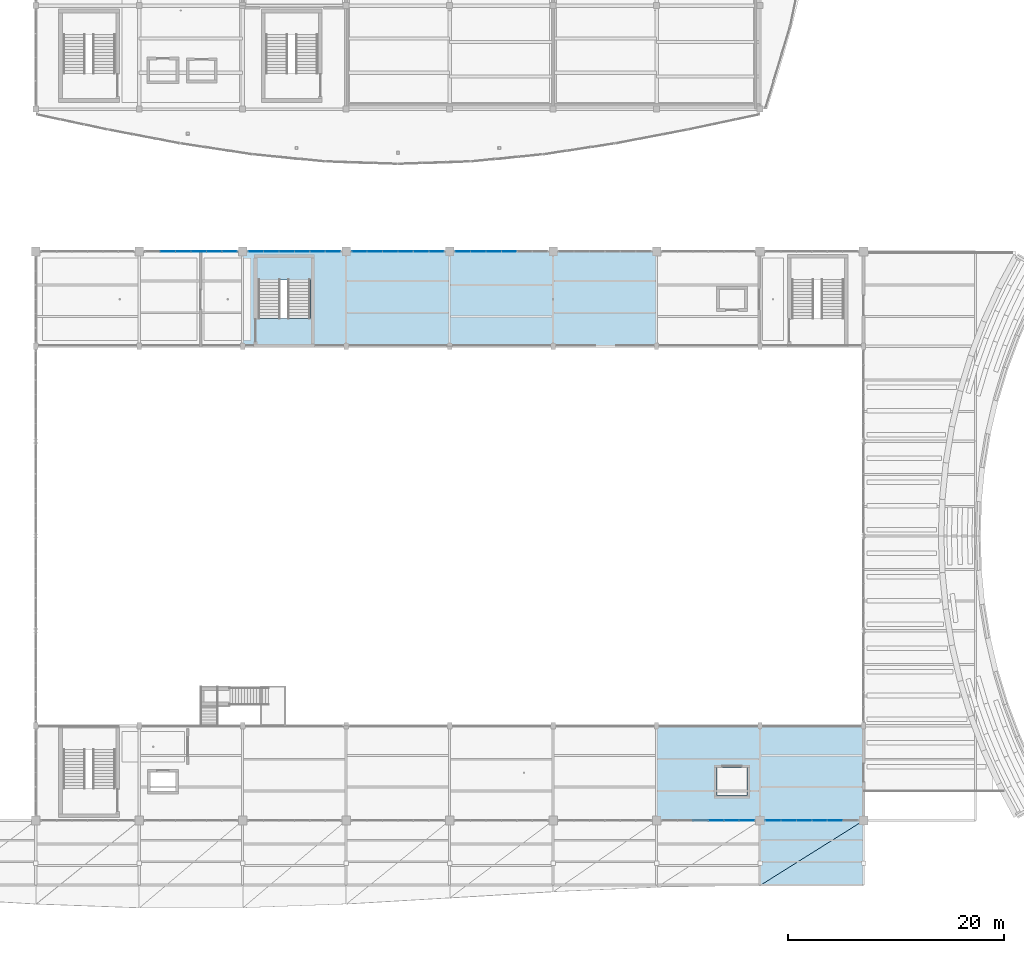
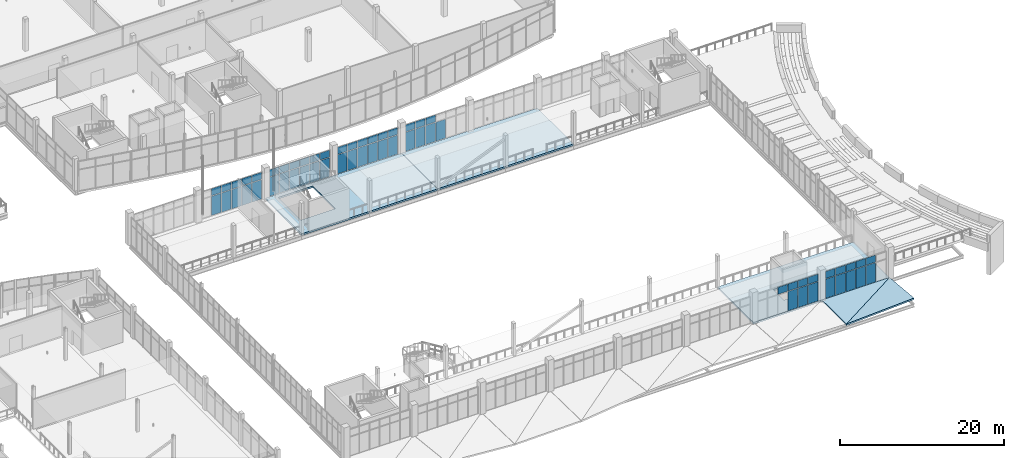
# One storey, part 120 of 157: 58 plates, 6 slabs, 7 elements without a shape of their own.
"""IFC4 building model written with IfcOpenShell, lengths in metres."""

from ifc_helpers import new_model, si_unit, direction, frame, origin, origin_2d, place, context, subcontext, project, spatial, polyline, rectangle, outline, extrude, material, layer, layer_set, type_object, element, aggregate, save


model = new_model("IFC4")

# Units and contexts
model_context = context("Model", 3, precision=1e-05, world=origin(), true_north=direction((0.0, 1.0)))
body_context = subcontext(model_context, "Body", "Model", "MODEL_VIEW")
ifc_project = project(units=[si_unit("LENGTHUNIT", "METRE"), si_unit("AREAUNIT", "SQUARE_METRE"), si_unit("VOLUMEUNIT", "CUBIC_METRE"), si_unit("PLANEANGLEUNIT", "RADIAN"), si_unit("MASSUNIT", "GRAM", prefix="KILO")], contexts=[model_context])

# Site, building, storey
site_placement = place(None, origin())
site = spatial("IfcSite", under=ifc_project, at=site_placement, CompositionType="ELEMENT")
building_placement = place(site_placement, origin())
building = spatial("IfcBuilding", under=site, at=building_placement, Name="Chalmorin Arch Market", CompositionType="ELEMENT")
storey_placement = place(building_placement, frame((0.0, 0.0, 4.800048828125)))
storey = spatial("IfcBuildingStorey", under=building, at=storey_placement, Name="L01", CompositionType="ELEMENT", Elevation=4.800048828125)

# Slabs
ifc_material_1 = material(Name="Concrete C40/50", Category="concrete")
ifc_layer_1 = layer(ifc_material_1, 0.219970703125)
ifc_layer_set_1 = layer_set([ifc_layer_1], Name="Concrete C40/50")
slab_type_1 = type_object("IfcSlabType", Name="ColonnadeCanopySlab-220", PredefinedType="ROOF", material=ifc_layer_set_1)
slab_1_placement = place(storey_placement, frame((115.219970703125, -0.01806640625, 0.083984375), z_axis=(-0.05362245172, 0.092751219023, 0.994244358315), x_axis=(0.998556461371, 0.001887051896, 0.053678976229)))
element("IfcSlab", 1, at=slab_1_placement, inside=storey, type_object=slab_type_1, Name="RS-220-083", PredefinedType="ROOF", context=body_context, shape_type="SweptSolid", body=[
    extrude(outline(polyline([(0.0, 0.0), (9.57387885770882, 1.3877787807814457e-17), (9.555217966218438, 6.005916036640677), (0.0, 0.0)])), origin(), (0.0, 0.0, -1.0), 0.219970703125),
])
slab_2_placement = place(storey_placement, frame((115.219970703125, -0.01806640625, 0.083984375), z_axis=(0.0, 0.007326407077, 0.99997316152), x_axis=(0.847074277111, 0.531460259463, -0.00389379871)))
element("IfcSlab", 2, at=slab_2_placement, inside=storey, type_object=slab_type_1, Name="RS-220-084", PredefinedType="ROOF", context=body_context, shape_type="SweptSolid", body=[
    extrude(outline(polyline([(0.0, 0.0), (11.285974385099465, -1.8642856355888249e-16), (3.1878946626610576, 5.0809275850936055), (0.0, 0.0)])), origin(), (0.0, 0.0, -1.0), 0.219970703125),
])
ifc_layer_2 = layer(ifc_material_1, 0.25)
ifc_layer_set_2 = layer_set([ifc_layer_2], Name="Concrete C40/50")
slab_type_2 = type_object("IfcSlabType", Name="MezzanineDeckSlab-250", PredefinedType="FLOOR", material=ifc_layer_set_2)
slab_3_placement = place(storey_placement, frame((0.0, 0.0, -0.25)))
element("IfcSlab", 3, at=slab_3_placement, inside=storey, type_object=slab_type_2, Name="FS-250-088", PredefinedType="FLOOR", context=body_context, shape_type="SweptSolid", body=[
    extrude(outline(polyline([(67.2099609375, 50.0), (86.389892578125, 50.0), (86.389892578125, 58.800048828125), (67.2099609375, 58.800048828125), (67.2099609375, 50.0)]), holes=[polyline([(68.60009765625, 52.60009765625), (73.5, 52.60009765625), (73.5, 58.14990234375), (68.60009765625, 58.14990234375), (68.60009765625, 52.60009765625)])]), origin(), (0.0, 0.0, 1.0), 0.25),
])
slab_4_placement = place(storey_placement, frame((0.0, 0.0, -0.25)))
element("IfcSlab", 4, at=slab_4_placement, inside=storey, type_object=slab_type_2, Name="FS-250-090", PredefinedType="FLOOR", context=body_context, shape_type="SweptSolid", body=[
    extrude(outline(polyline([(86.409912109375, 50.0), (105.590087890625, 50.0), (105.590087890625, 58.800048828125), (86.409912109375, 58.800048828125), (86.409912109375, 50.0)])), origin(), (0.0, 0.0, 1.0), 0.25),
])
slab_5_placement = place(storey_placement, frame((0.0, 0.0, -0.25)))
element("IfcSlab", 5, at=slab_5_placement, inside=storey, type_object=slab_type_2, Name="FS-250-091", PredefinedType="FLOOR", context=body_context, shape_type="SweptSolid", body=[
    extrude(outline(polyline([(105.610107421875, 6.010009765625), (124.7900390625, 6.010009765625), (124.7900390625, 14.800048828125), (105.610107421875, 14.800048828125), (105.610107421875, 6.010009765625)]), holes=[polyline([(111.199951171875, 8.300048828125), (114.0, 8.300048828125), (114.0, 10.89990234375), (111.199951171875, 10.89990234375), (111.199951171875, 8.300048828125)])]), origin(), (0.0, 0.0, 1.0), 0.25),
])

# Curtain wall, plates
ifc_material_2 = material(Name="Aluminium 6063-T6", Category="aluminium")
ifc_layer_3 = layer(ifc_material_2, 0.159912109375)
ifc_layer_set_3 = layer_set([ifc_layer_3], Name="Aluminium 6063-T6")
curtain_wall_type_1 = type_object("IfcCurtainWallType", Name="MarketClerestoryCurtainWall-CW1-8580x4150", PredefinedType="NOTDEFINED", material=ifc_layer_set_3)
curtain_wall_1_placement = place(storey_placement, origin())
curtain_wall_1 = element("IfcCurtainWall", 6, at=curtain_wall_1_placement, inside=storey, type_object=curtain_wall_type_1, Name="CW-01-006", PredefinedType="NOTDEFINED")
ifc_material_3 = material(Name="Powder-coated Aluminium Panel", Category="aluminium")
ifc_layer_4 = layer(ifc_material_3, 0.0400390625)
ifc_layer_set_4 = layer_set([ifc_layer_4], Name="Powder-coated Aluminium Panel")
plate_type_1 = type_object("IfcPlateType", Name="ShadowboxSpandrelPanel-40", PredefinedType="CURTAIN_PANEL", material=ifc_layer_set_4)
plate_1_placement = place(storey_placement, frame((60.2548828125, 58.800048828125, 3.03271484375), z_axis=(0.0, 0.0, 1.0), x_axis=(1.0, 0.0, 0.0)))
plate_1 = element("IfcPlate", 7, at=plate_1_placement, type_object=plate_type_1, Name="SP-40-006-02B", PredefinedType="CURTAIN_PANEL", context=body_context, shape_type="SweptSolid", body=[
    extrude(rectangle(XDim=1.35009765625, YDim=0.0400390625, at=origin_2d()), origin(), (0.0, 0.0, 1.0), 1.047119140625),
])
plate_2_placement = place(storey_placement, frame((61.68505859375, 58.800048828125, 3.03271484375), z_axis=(0.0, 0.0, 1.0), x_axis=(1.0, 0.0, 0.0)))
plate_2 = element("IfcPlate", 8, at=plate_2_placement, type_object=plate_type_1, Name="SP-40-006-03B", PredefinedType="CURTAIN_PANEL", context=body_context, shape_type="SweptSolid", body=[
    extrude(rectangle(XDim=1.35009765625, YDim=0.0400390625, at=origin_2d()), origin(), (0.0, 0.0, 1.0), 1.047119140625),
])
plate_3_placement = place(storey_placement, frame((63.114990234375, 58.800048828125, 3.03271484375), z_axis=(0.0, 0.0, 1.0), x_axis=(1.0, 0.0, 0.0)))
plate_3 = element("IfcPlate", 9, at=plate_3_placement, type_object=plate_type_1, Name="SP-40-006-04B", PredefinedType="CURTAIN_PANEL", context=body_context, shape_type="SweptSolid", body=[
    extrude(rectangle(XDim=1.35009765625, YDim=0.0400390625, at=origin_2d()), origin(), (0.0, 0.0, 1.0), 1.047119140625),
])
plate_4_placement = place(storey_placement, frame((64.544921875, 58.800048828125, 3.03271484375), z_axis=(0.0, 0.0, 1.0), x_axis=(1.0, 0.0, 0.0)))
plate_4 = element("IfcPlate", 10, at=plate_4_placement, type_object=plate_type_1, Name="SP-40-006-05B", PredefinedType="CURTAIN_PANEL", context=body_context, shape_type="SweptSolid", body=[
    extrude(rectangle(XDim=1.35009765625, YDim=0.0400390625, at=origin_2d()), origin(), (0.0, 0.0, 1.0), 1.047119140625),
])
plate_5_placement = place(storey_placement, frame((65.97509765625, 58.800048828125, 3.03271484375), z_axis=(0.0, 0.0, 1.0), x_axis=(1.0, 0.0, 0.0)))
plate_5 = element("IfcPlate", 11, at=plate_5_placement, type_object=plate_type_1, Name="SP-40-006-06B", PredefinedType="CURTAIN_PANEL", context=body_context, shape_type="SweptSolid", body=[
    extrude(rectangle(XDim=1.35009765625, YDim=0.0400390625, at=origin_2d()), origin(), (0.0, 0.0, 1.0), 1.047119140625),
])

ifc_layer_5 = layer(ifc_material_2, 0.159912109375)
ifc_layer_set_5 = layer_set([ifc_layer_5], Name="Aluminium 6063-T6")
curtain_wall_type_2 = type_object("IfcCurtainWallType", Name="MarketClerestoryCurtainWall-CW1-8580x4100", PredefinedType="NOTDEFINED", material=ifc_layer_set_5)
curtain_wall_2_placement = place(storey_placement, origin())
curtain_wall_2 = element("IfcCurtainWall", 12, at=curtain_wall_2_placement, inside=storey, type_object=curtain_wall_type_2, Name="CW-01-009", PredefinedType="NOTDEFINED")
plate_6_placement = place(storey_placement, frame((68.425048828125, 58.800048828125, 2.994140625), z_axis=(0.0, 0.0, 1.0), x_axis=(1.0, 0.0, 0.0)))
plate_6 = element("IfcPlate", 13, at=plate_6_placement, type_object=plate_type_1, Name="SP-40-009-01B", PredefinedType="CURTAIN_PANEL", context=body_context, shape_type="SweptSolid", body=[
    extrude(rectangle(XDim=1.35009765625, YDim=0.0400390625, at=origin_2d()), origin(), (0.0, 0.0, 1.0), 1.031982421875),
])
plate_7_placement = place(storey_placement, frame((69.85498046875, 58.800048828125, 2.994140625), z_axis=(0.0, 0.0, 1.0), x_axis=(1.0, 0.0, 0.0)))
plate_7 = element("IfcPlate", 14, at=plate_7_placement, type_object=plate_type_1, Name="SP-40-009-02B", PredefinedType="CURTAIN_PANEL", context=body_context, shape_type="SweptSolid", body=[
    extrude(rectangle(XDim=1.35009765625, YDim=0.0400390625, at=origin_2d()), origin(), (0.0, 0.0, 1.0), 1.031982421875),
])
plate_8_placement = place(storey_placement, frame((71.284912109375, 58.800048828125, 2.994140625), z_axis=(0.0, 0.0, 1.0), x_axis=(1.0, 0.0, 0.0)))
plate_8 = element("IfcPlate", 15, at=plate_8_placement, type_object=plate_type_1, Name="SP-40-009-03B", PredefinedType="CURTAIN_PANEL", context=body_context, shape_type="SweptSolid", body=[
    extrude(rectangle(XDim=1.35009765625, YDim=0.0400390625, at=origin_2d()), origin(), (0.0, 0.0, 1.0), 1.031982421875),
])
plate_9_placement = place(storey_placement, frame((72.715087890625, 58.800048828125, 2.994140625), z_axis=(0.0, 0.0, 1.0), x_axis=(1.0, 0.0, 0.0)))
plate_9 = element("IfcPlate", 16, at=plate_9_placement, type_object=plate_type_1, Name="SP-40-009-04B", PredefinedType="CURTAIN_PANEL", context=body_context, shape_type="SweptSolid", body=[
    extrude(rectangle(XDim=1.35009765625, YDim=0.0400390625, at=origin_2d()), origin(), (0.0, 0.0, 1.0), 1.031982421875),
])
plate_10_placement = place(storey_placement, frame((74.14501953125, 58.800048828125, 2.994140625), z_axis=(0.0, 0.0, 1.0), x_axis=(1.0, 0.0, 0.0)))
plate_10 = element("IfcPlate", 17, at=plate_10_placement, type_object=plate_type_1, Name="SP-40-009-05B", PredefinedType="CURTAIN_PANEL", context=body_context, shape_type="SweptSolid", body=[
    extrude(rectangle(XDim=1.35009765625, YDim=0.0400390625, at=origin_2d()), origin(), (0.0, 0.0, 1.0), 1.031982421875),
])
plate_11_placement = place(storey_placement, frame((75.574951171875, 58.800048828125, 2.994140625), z_axis=(0.0, 0.0, 1.0), x_axis=(1.0, 0.0, 0.0)))
plate_11 = element("IfcPlate", 18, at=plate_11_placement, type_object=plate_type_1, Name="SP-40-009-06B", PredefinedType="CURTAIN_PANEL", context=body_context, shape_type="SweptSolid", body=[
    extrude(rectangle(XDim=1.35009765625, YDim=0.0400390625, at=origin_2d()), origin(), (0.0, 0.0, 1.0), 1.031982421875),
])

curtain_wall_3_placement = place(storey_placement, origin())
curtain_wall_3 = element("IfcCurtainWall", 19, at=curtain_wall_3_placement, inside=storey, type_object=curtain_wall_type_2, Name="CW-01-012", PredefinedType="NOTDEFINED")
plate_12_placement = place(storey_placement, frame((78.02490234375, 58.800048828125, 2.994140625), z_axis=(0.0, 0.0, 1.0), x_axis=(1.0, 0.0, 0.0)))
plate_12 = element("IfcPlate", 20, at=plate_12_placement, type_object=plate_type_1, Name="SP-40-012-01B", PredefinedType="CURTAIN_PANEL", context=body_context, shape_type="SweptSolid", body=[
    extrude(rectangle(XDim=1.35009765625, YDim=0.0400390625, at=origin_2d()), origin(), (0.0, 0.0, 1.0), 1.031982421875),
])
plate_13_placement = place(storey_placement, frame((79.455078125, 58.800048828125, 2.994140625), z_axis=(0.0, 0.0, 1.0), x_axis=(1.0, 0.0, 0.0)))
plate_13 = element("IfcPlate", 21, at=plate_13_placement, type_object=plate_type_1, Name="SP-40-012-02B", PredefinedType="CURTAIN_PANEL", context=body_context, shape_type="SweptSolid", body=[
    extrude(rectangle(XDim=1.35009765625, YDim=0.0400390625, at=origin_2d()), origin(), (0.0, 0.0, 1.0), 1.031982421875),
])
plate_14_placement = place(storey_placement, frame((80.885009765625, 58.800048828125, 2.994140625), z_axis=(0.0, 0.0, 1.0), x_axis=(1.0, 0.0, 0.0)))
plate_14 = element("IfcPlate", 22, at=plate_14_placement, type_object=plate_type_1, Name="SP-40-012-03B", PredefinedType="CURTAIN_PANEL", context=body_context, shape_type="SweptSolid", body=[
    extrude(rectangle(XDim=1.35009765625, YDim=0.0400390625, at=origin_2d()), origin(), (0.0, 0.0, 1.0), 1.031982421875),
])
plate_15_placement = place(storey_placement, frame((82.31494140625, 58.800048828125, 2.994140625), z_axis=(0.0, 0.0, 1.0), x_axis=(1.0, 0.0, 0.0)))
plate_15 = element("IfcPlate", 23, at=plate_15_placement, type_object=plate_type_1, Name="SP-40-012-04B", PredefinedType="CURTAIN_PANEL", context=body_context, shape_type="SweptSolid", body=[
    extrude(rectangle(XDim=1.35009765625, YDim=0.0400390625, at=origin_2d()), origin(), (0.0, 0.0, 1.0), 1.031982421875),
])
plate_16_placement = place(storey_placement, frame((83.7451171875, 58.800048828125, 2.994140625), z_axis=(0.0, 0.0, 1.0), x_axis=(1.0, 0.0, 0.0)))
plate_16 = element("IfcPlate", 24, at=plate_16_placement, type_object=plate_type_1, Name="SP-40-012-05B", PredefinedType="CURTAIN_PANEL", context=body_context, shape_type="SweptSolid", body=[
    extrude(rectangle(XDim=1.35009765625, YDim=0.0400390625, at=origin_2d()), origin(), (0.0, 0.0, 1.0), 1.031982421875),
])
plate_17_placement = place(storey_placement, frame((85.175048828125, 58.800048828125, 2.994140625), z_axis=(0.0, 0.0, 1.0), x_axis=(1.0, 0.0, 0.0)))
plate_17 = element("IfcPlate", 25, at=plate_17_placement, type_object=plate_type_1, Name="SP-40-012-06B", PredefinedType="CURTAIN_PANEL", context=body_context, shape_type="SweptSolid", body=[
    extrude(rectangle(XDim=1.35009765625, YDim=0.0400390625, at=origin_2d()), origin(), (0.0, 0.0, 1.0), 1.031982421875),
])

curtain_wall_4_placement = place(storey_placement, origin())
curtain_wall_4 = element("IfcCurtainWall", 26, at=curtain_wall_4_placement, inside=storey, type_object=curtain_wall_type_2, Name="CW-01-015", PredefinedType="NOTDEFINED")
plate_18_placement = place(storey_placement, frame((87.625, 58.800048828125, 2.994140625), z_axis=(0.0, 0.0, 1.0), x_axis=(1.0, 0.0, 0.0)))
plate_18 = element("IfcPlate", 27, at=plate_18_placement, type_object=plate_type_1, Name="SP-40-015-01B", PredefinedType="CURTAIN_PANEL", context=body_context, shape_type="SweptSolid", body=[
    extrude(rectangle(XDim=1.35009765625, YDim=0.0400390625, at=origin_2d()), origin(), (0.0, 0.0, 1.0), 1.031982421875),
])
plate_19_placement = place(storey_placement, frame((89.054931640625, 58.800048828125, 2.994140625), z_axis=(0.0, 0.0, 1.0), x_axis=(1.0, 0.0, 0.0)))
plate_19 = element("IfcPlate", 28, at=plate_19_placement, type_object=plate_type_1, Name="SP-40-015-02B", PredefinedType="CURTAIN_PANEL", context=body_context, shape_type="SweptSolid", body=[
    extrude(rectangle(XDim=1.35009765625, YDim=0.0400390625, at=origin_2d()), origin(), (0.0, 0.0, 1.0), 1.031982421875),
])
plate_20_placement = place(storey_placement, frame((90.485107421875, 58.800048828125, 2.994140625), z_axis=(0.0, 0.0, 1.0), x_axis=(1.0, 0.0, 0.0)))
plate_20 = element("IfcPlate", 29, at=plate_20_placement, type_object=plate_type_1, Name="SP-40-015-03B", PredefinedType="CURTAIN_PANEL", context=body_context, shape_type="SweptSolid", body=[
    extrude(rectangle(XDim=1.35009765625, YDim=0.0400390625, at=origin_2d()), origin(), (0.0, 0.0, 1.0), 1.031982421875),
])

# Stair, slab
stair_type = type_object("IfcStairType", Name="DoglegExitStair-28R-SC8", PredefinedType="HALF_TURN_STAIR", material=ifc_material_1)
stair_placement = place(storey_placement, origin())
stair = element("IfcStair", 30, at=stair_placement, inside=storey, type_object=stair_type, Name="ST-25", PredefinedType="HALF_TURN_STAIR")
ifc_layer_6 = layer(ifc_material_1, 0.205078125)
ifc_layer_set_6 = layer_set([ifc_layer_6], Name="Concrete C40/50")
slab_type_3 = type_object("IfcSlabType", Name="StairLandingSlab-205", PredefinedType="LANDING", material=ifc_layer_set_6)
slab_6_placement = place(storey_placement, frame((0.0, 0.0, 2.195068359375)))
slab_6 = element("IfcSlab", 31, at=slab_6_placement, type_object=slab_type_3, Name="LS-025", PredefinedType="LANDING", context=body_context, shape_type="SweptSolid", body=[
    extrude(outline(polyline([(68.52001953125, 56.159912109375), (73.580078125, 56.159912109375), (73.580078125, 58.22998046875), (68.52001953125, 58.22998046875), (68.52001953125, 56.159912109375)])), origin(), (0.0, 0.0, 1.0), 0.204833984375),
])
aggregate(stair, [slab_6])

# Curtain wall, plates
curtain_wall_5_placement = place(storey_placement, origin())
curtain_wall_5 = element("IfcCurtainWall", 32, at=curtain_wall_5_placement, inside=storey, type_object=curtain_wall_type_1, Name="CW-01-020", PredefinedType="NOTDEFINED")
ifc_material_4 = material(Name="Architectural Terracotta", Category="masonry")
ifc_layer_7 = layer(ifc_material_4, 0.044921875)
ifc_layer_set_7 = layer_set([ifc_layer_7], Name="Architectural Terracotta")
plate_type_2 = type_object("IfcPlateType", Name="TerracottaSpandrelPanel-45", PredefinedType="CURTAIN_PANEL", material=ifc_layer_set_7)
plate_21_placement = place(storey_placement, frame((109.68505859375, 6.0, 3.03271484375), z_axis=(0.0, 0.0, 1.0), x_axis=(1.0, 0.0, 0.0)))
plate_21 = element("IfcPlate", 33, at=plate_21_placement, type_object=plate_type_2, Name="SP-45-020-03B", PredefinedType="CURTAIN_PANEL", context=body_context, shape_type="SweptSolid", body=[
    extrude(rectangle(XDim=1.35009765625, YDim=0.044921875, at=origin_2d()), origin(), (0.0, 0.0, 1.0), 1.047119140625),
])
plate_22_placement = place(storey_placement, frame((111.114990234375, 6.0, 3.03271484375), z_axis=(0.0, 0.0, 1.0), x_axis=(1.0, 0.0, 0.0)))
plate_22 = element("IfcPlate", 34, at=plate_22_placement, type_object=plate_type_2, Name="SP-45-020-04B", PredefinedType="CURTAIN_PANEL", context=body_context, shape_type="SweptSolid", body=[
    extrude(rectangle(XDim=1.35009765625, YDim=0.044921875, at=origin_2d()), origin(), (0.0, 0.0, 1.0), 1.047119140625),
])
plate_23_placement = place(storey_placement, frame((112.544921875, 6.0, 3.03271484375), z_axis=(0.0, 0.0, 1.0), x_axis=(1.0, 0.0, 0.0)))
plate_23 = element("IfcPlate", 35, at=plate_23_placement, type_object=plate_type_2, Name="SP-45-020-05B", PredefinedType="CURTAIN_PANEL", context=body_context, shape_type="SweptSolid", body=[
    extrude(rectangle(XDim=1.35009765625, YDim=0.044921875, at=origin_2d()), origin(), (0.0, 0.0, 1.0), 1.047119140625),
])
plate_24_placement = place(storey_placement, frame((113.97509765625, 6.0, 3.03271484375), z_axis=(0.0, 0.0, 1.0), x_axis=(1.0, 0.0, 0.0)))
plate_24 = element("IfcPlate", 36, at=plate_24_placement, type_object=plate_type_2, Name="SP-45-020-06B", PredefinedType="CURTAIN_PANEL", context=body_context, shape_type="SweptSolid", body=[
    extrude(rectangle(XDim=1.35009765625, YDim=0.044921875, at=origin_2d()), origin(), (0.0, 0.0, 1.0), 1.047119140625),
])

curtain_wall_6_placement = place(storey_placement, origin())
curtain_wall_6 = element("IfcCurtainWall", 37, at=curtain_wall_6_placement, inside=storey, type_object=curtain_wall_type_1, Name="CW-01-022", PredefinedType="NOTDEFINED")
plate_25_placement = place(storey_placement, frame((116.425048828125, 6.0, 3.03271484375), z_axis=(0.0, 0.0, 1.0), x_axis=(1.0, 0.0, 0.0)))
plate_25 = element("IfcPlate", 38, at=plate_25_placement, type_object=plate_type_2, Name="SP-45-022-01B", PredefinedType="CURTAIN_PANEL", context=body_context, shape_type="SweptSolid", body=[
    extrude(rectangle(XDim=1.35009765625, YDim=0.044921875, at=origin_2d()), origin(), (0.0, 0.0, 1.0), 1.047119140625),
])
plate_26_placement = place(storey_placement, frame((117.85498046875, 6.0, 3.03271484375), z_axis=(0.0, 0.0, 1.0), x_axis=(1.0, 0.0, 0.0)))
plate_26 = element("IfcPlate", 39, at=plate_26_placement, type_object=plate_type_2, Name="SP-45-022-02B", PredefinedType="CURTAIN_PANEL", context=body_context, shape_type="SweptSolid", body=[
    extrude(rectangle(XDim=1.35009765625, YDim=0.044921875, at=origin_2d()), origin(), (0.0, 0.0, 1.0), 1.047119140625),
])
plate_27_placement = place(storey_placement, frame((119.284912109375, 6.0, 3.03271484375), z_axis=(0.0, 0.0, 1.0), x_axis=(1.0, 0.0, 0.0)))
plate_27 = element("IfcPlate", 40, at=plate_27_placement, type_object=plate_type_2, Name="SP-45-022-03B", PredefinedType="CURTAIN_PANEL", context=body_context, shape_type="SweptSolid", body=[
    extrude(rectangle(XDim=1.35009765625, YDim=0.044921875, at=origin_2d()), origin(), (0.0, 0.0, 1.0), 1.047119140625),
])
plate_28_placement = place(storey_placement, frame((120.715087890625, 6.0, 3.03271484375), z_axis=(0.0, 0.0, 1.0), x_axis=(1.0, 0.0, 0.0)))
plate_28 = element("IfcPlate", 41, at=plate_28_placement, type_object=plate_type_2, Name="SP-45-022-04B", PredefinedType="CURTAIN_PANEL", context=body_context, shape_type="SweptSolid", body=[
    extrude(rectangle(XDim=1.35009765625, YDim=0.044921875, at=origin_2d()), origin(), (0.0, 0.0, 1.0), 1.047119140625),
])
plate_29_placement = place(storey_placement, frame((122.14501953125, 6.0, 3.03271484375), z_axis=(0.0, 0.0, 1.0), x_axis=(1.0, 0.0, 0.0)))
plate_29 = element("IfcPlate", 42, at=plate_29_placement, type_object=plate_type_2, Name="SP-45-022-05B", PredefinedType="CURTAIN_PANEL", context=body_context, shape_type="SweptSolid", body=[
    extrude(rectangle(XDim=1.35009765625, YDim=0.044921875, at=origin_2d()), origin(), (0.0, 0.0, 1.0), 1.047119140625),
])

# Plate
ifc_material_5 = material(Name="Laminated Acoustic Glass", Category="glass")
ifc_layer_8 = layer(ifc_material_5, 0.031982421875)
ifc_layer_set_8 = layer_set([ifc_layer_8], Name="Laminated Acoustic Glass")
plate_type_3 = type_object("IfcPlateType", Name="TintedClerestoryGlass-32", PredefinedType="CURTAIN_PANEL", material=ifc_layer_set_8)
plate_30_placement = place(storey_placement, frame((111.114990234375, 6.0, 0.06982421875), z_axis=(0.0, 0.0, 1.0), x_axis=(1.0, 0.0, 0.0)))
plate_30 = element("IfcPlate", 43, at=plate_30_placement, type_object=plate_type_3, Name="GL-32-020-04A", PredefinedType="CURTAIN_PANEL", context=body_context, shape_type="SweptSolid", body=[
    extrude(rectangle(XDim=1.35009765625, YDim=0.031982421875, at=origin_2d()), origin(), (0.0, 0.0, 1.0), 2.873046875),
])

plate_31_placement = place(storey_placement, frame((112.544921875, 6.0, 0.06982421875), z_axis=(0.0, 0.0, 1.0), x_axis=(1.0, 0.0, 0.0)))
plate_31 = element("IfcPlate", 44, at=plate_31_placement, type_object=plate_type_3, Name="GL-32-020-05A", PredefinedType="CURTAIN_PANEL", context=body_context, shape_type="SweptSolid", body=[
    extrude(rectangle(XDim=1.35009765625, YDim=0.031982421875, at=origin_2d()), origin(), (0.0, 0.0, 1.0), 2.873046875),
])

plate_32_placement = place(storey_placement, frame((113.97509765625, 6.0, 0.06982421875), z_axis=(0.0, 0.0, 1.0), x_axis=(1.0, 0.0, 0.0)))
plate_32 = element("IfcPlate", 45, at=plate_32_placement, type_object=plate_type_3, Name="GL-32-020-06A", PredefinedType="CURTAIN_PANEL", context=body_context, shape_type="SweptSolid", body=[
    extrude(rectangle(XDim=1.35009765625, YDim=0.031982421875, at=origin_2d()), origin(), (0.0, 0.0, 1.0), 2.873046875),
])

aggregate(curtain_wall_5, [plate_21, plate_30, plate_22, plate_31, plate_23, plate_32, plate_24])

plate_33_placement = place(storey_placement, frame((116.425048828125, 6.0, 0.06982421875), z_axis=(0.0, 0.0, 1.0), x_axis=(1.0, 0.0, 0.0)))
plate_33 = element("IfcPlate", 46, at=plate_33_placement, type_object=plate_type_3, Name="GL-32-022-01A", PredefinedType="CURTAIN_PANEL", context=body_context, shape_type="SweptSolid", body=[
    extrude(rectangle(XDim=1.35009765625, YDim=0.031982421875, at=origin_2d()), origin(), (0.0, 0.0, 1.0), 2.873046875),
])

plate_34_placement = place(storey_placement, frame((117.85498046875, 6.0, 0.06982421875), z_axis=(0.0, 0.0, 1.0), x_axis=(1.0, 0.0, 0.0)))
plate_34 = element("IfcPlate", 47, at=plate_34_placement, type_object=plate_type_3, Name="GL-32-022-02A", PredefinedType="CURTAIN_PANEL", context=body_context, shape_type="SweptSolid", body=[
    extrude(rectangle(XDim=1.35009765625, YDim=0.031982421875, at=origin_2d()), origin(), (0.0, 0.0, 1.0), 2.873046875),
])

plate_35_placement = place(storey_placement, frame((119.284912109375, 6.0, 0.06982421875), z_axis=(0.0, 0.0, 1.0), x_axis=(1.0, 0.0, 0.0)))
plate_35 = element("IfcPlate", 48, at=plate_35_placement, type_object=plate_type_3, Name="GL-32-022-03A", PredefinedType="CURTAIN_PANEL", context=body_context, shape_type="SweptSolid", body=[
    extrude(rectangle(XDim=1.35009765625, YDim=0.031982421875, at=origin_2d()), origin(), (0.0, 0.0, 1.0), 2.873046875),
])

plate_36_placement = place(storey_placement, frame((120.715087890625, 6.0, 0.06982421875), z_axis=(0.0, 0.0, 1.0), x_axis=(1.0, 0.0, 0.0)))
plate_36 = element("IfcPlate", 49, at=plate_36_placement, type_object=plate_type_3, Name="GL-32-022-04A", PredefinedType="CURTAIN_PANEL", context=body_context, shape_type="SweptSolid", body=[
    extrude(rectangle(XDim=1.35009765625, YDim=0.031982421875, at=origin_2d()), origin(), (0.0, 0.0, 1.0), 2.873046875),
])

plate_37_placement = place(storey_placement, frame((122.14501953125, 6.0, 0.06982421875), z_axis=(0.0, 0.0, 1.0), x_axis=(1.0, 0.0, 0.0)))
plate_37 = element("IfcPlate", 50, at=plate_37_placement, type_object=plate_type_3, Name="GL-32-022-05A", PredefinedType="CURTAIN_PANEL", context=body_context, shape_type="SweptSolid", body=[
    extrude(rectangle(XDim=1.35009765625, YDim=0.031982421875, at=origin_2d()), origin(), (0.0, 0.0, 1.0), 2.873046875),
])

aggregate(curtain_wall_6, [plate_33, plate_25, plate_34, plate_26, plate_35, plate_27, plate_36, plate_28, plate_37, plate_29])

ifc_material_6 = material(Name="Low-E Tempered Glass", Category="glass")
ifc_layer_9 = layer(ifc_material_6, 0.028076171875)
ifc_layer_set_9 = layer_set([ifc_layer_9], Name="Low-E Tempered Glass")
plate_type_4 = type_object("IfcPlateType", Name="VisionIGUPanel-28", PredefinedType="CURTAIN_PANEL", material=ifc_layer_set_9)
plate_38_placement = place(storey_placement, frame((60.2548828125, 58.800048828125, 0.06982421875), z_axis=(0.0, 0.0, 1.0), x_axis=(1.0, 0.0, 0.0)))
plate_38 = element("IfcPlate", 51, at=plate_38_placement, type_object=plate_type_4, Name="GL-28-006-02A", PredefinedType="CURTAIN_PANEL", context=body_context, shape_type="SweptSolid", body=[
    extrude(rectangle(XDim=1.35009765625, YDim=0.028076171875, at=origin_2d()), origin(), (0.0, 0.0, 1.0), 2.873046875),
])

plate_39_placement = place(storey_placement, frame((61.68505859375, 58.800048828125, 0.06982421875), z_axis=(0.0, 0.0, 1.0), x_axis=(1.0, 0.0, 0.0)))
plate_39 = element("IfcPlate", 52, at=plate_39_placement, type_object=plate_type_4, Name="GL-28-006-03A", PredefinedType="CURTAIN_PANEL", context=body_context, shape_type="SweptSolid", body=[
    extrude(rectangle(XDim=1.35009765625, YDim=0.028076171875, at=origin_2d()), origin(), (0.0, 0.0, 1.0), 2.873046875),
])

plate_40_placement = place(storey_placement, frame((63.114990234375, 58.800048828125, 0.06982421875), z_axis=(0.0, 0.0, 1.0), x_axis=(1.0, 0.0, 0.0)))
plate_40 = element("IfcPlate", 53, at=plate_40_placement, type_object=plate_type_4, Name="GL-28-006-04A", PredefinedType="CURTAIN_PANEL", context=body_context, shape_type="SweptSolid", body=[
    extrude(rectangle(XDim=1.35009765625, YDim=0.028076171875, at=origin_2d()), origin(), (0.0, 0.0, 1.0), 2.873046875),
])

plate_41_placement = place(storey_placement, frame((64.544921875, 58.800048828125, 0.06982421875), z_axis=(0.0, 0.0, 1.0), x_axis=(1.0, 0.0, 0.0)))
plate_41 = element("IfcPlate", 54, at=plate_41_placement, type_object=plate_type_4, Name="GL-28-006-05A", PredefinedType="CURTAIN_PANEL", context=body_context, shape_type="SweptSolid", body=[
    extrude(rectangle(XDim=1.35009765625, YDim=0.028076171875, at=origin_2d()), origin(), (0.0, 0.0, 1.0), 2.873046875),
])

plate_42_placement = place(storey_placement, frame((65.97509765625, 58.800048828125, 0.06982421875), z_axis=(0.0, 0.0, 1.0), x_axis=(1.0, 0.0, 0.0)))
plate_42 = element("IfcPlate", 55, at=plate_42_placement, type_object=plate_type_4, Name="GL-28-006-06A", PredefinedType="CURTAIN_PANEL", context=body_context, shape_type="SweptSolid", body=[
    extrude(rectangle(XDim=1.35009765625, YDim=0.028076171875, at=origin_2d()), origin(), (0.0, 0.0, 1.0), 2.873046875),
])

aggregate(curtain_wall_1, [plate_38, plate_1, plate_39, plate_2, plate_40, plate_3, plate_41, plate_4, plate_42, plate_5])

plate_43_placement = place(storey_placement, frame((68.425048828125, 58.800048828125, 0.070068359375), z_axis=(0.0, 0.0, 1.0), x_axis=(1.0, 0.0, 0.0)))
plate_43 = element("IfcPlate", 56, at=plate_43_placement, type_object=plate_type_4, Name="GL-28-009-01A", PredefinedType="CURTAIN_PANEL", context=body_context, shape_type="SweptSolid", body=[
    extrude(rectangle(XDim=1.35009765625, YDim=0.028076171875, at=origin_2d()), origin(), (0.0, 0.0, 1.0), 2.833984375),
])

plate_44_placement = place(storey_placement, frame((69.85498046875, 58.800048828125, 0.070068359375), z_axis=(0.0, 0.0, 1.0), x_axis=(1.0, 0.0, 0.0)))
plate_44 = element("IfcPlate", 57, at=plate_44_placement, type_object=plate_type_4, Name="GL-28-009-02A", PredefinedType="CURTAIN_PANEL", context=body_context, shape_type="SweptSolid", body=[
    extrude(rectangle(XDim=1.35009765625, YDim=0.028076171875, at=origin_2d()), origin(), (0.0, 0.0, 1.0), 2.833984375),
])

plate_45_placement = place(storey_placement, frame((71.284912109375, 58.800048828125, 0.070068359375), z_axis=(0.0, 0.0, 1.0), x_axis=(1.0, 0.0, 0.0)))
plate_45 = element("IfcPlate", 58, at=plate_45_placement, type_object=plate_type_4, Name="GL-28-009-03A", PredefinedType="CURTAIN_PANEL", context=body_context, shape_type="SweptSolid", body=[
    extrude(rectangle(XDim=1.35009765625, YDim=0.028076171875, at=origin_2d()), origin(), (0.0, 0.0, 1.0), 2.833984375),
])

plate_46_placement = place(storey_placement, frame((72.715087890625, 58.800048828125, 0.070068359375), z_axis=(0.0, 0.0, 1.0), x_axis=(1.0, 0.0, 0.0)))
plate_46 = element("IfcPlate", 59, at=plate_46_placement, type_object=plate_type_4, Name="GL-28-009-04A", PredefinedType="CURTAIN_PANEL", context=body_context, shape_type="SweptSolid", body=[
    extrude(rectangle(XDim=1.35009765625, YDim=0.028076171875, at=origin_2d()), origin(), (0.0, 0.0, 1.0), 2.833984375),
])

plate_47_placement = place(storey_placement, frame((74.14501953125, 58.800048828125, 0.070068359375), z_axis=(0.0, 0.0, 1.0), x_axis=(1.0, 0.0, 0.0)))
plate_47 = element("IfcPlate", 60, at=plate_47_placement, type_object=plate_type_4, Name="GL-28-009-05A", PredefinedType="CURTAIN_PANEL", context=body_context, shape_type="SweptSolid", body=[
    extrude(rectangle(XDim=1.35009765625, YDim=0.028076171875, at=origin_2d()), origin(), (0.0, 0.0, 1.0), 2.833984375),
])

plate_48_placement = place(storey_placement, frame((75.574951171875, 58.800048828125, 0.070068359375), z_axis=(0.0, 0.0, 1.0), x_axis=(1.0, 0.0, 0.0)))
plate_48 = element("IfcPlate", 61, at=plate_48_placement, type_object=plate_type_4, Name="GL-28-009-06A", PredefinedType="CURTAIN_PANEL", context=body_context, shape_type="SweptSolid", body=[
    extrude(rectangle(XDim=1.35009765625, YDim=0.028076171875, at=origin_2d()), origin(), (0.0, 0.0, 1.0), 2.833984375),
])

aggregate(curtain_wall_2, [plate_43, plate_6, plate_44, plate_7, plate_45, plate_8, plate_46, plate_9, plate_47, plate_10, plate_48, plate_11])

plate_49_placement = place(storey_placement, frame((78.02490234375, 58.800048828125, 0.070068359375), z_axis=(0.0, 0.0, 1.0), x_axis=(1.0, 0.0, 0.0)))
plate_49 = element("IfcPlate", 62, at=plate_49_placement, type_object=plate_type_4, Name="GL-28-012-01A", PredefinedType="CURTAIN_PANEL", context=body_context, shape_type="SweptSolid", body=[
    extrude(rectangle(XDim=1.35009765625, YDim=0.028076171875, at=origin_2d()), origin(), (0.0, 0.0, 1.0), 2.833984375),
])

plate_50_placement = place(storey_placement, frame((79.455078125, 58.800048828125, 0.070068359375), z_axis=(0.0, 0.0, 1.0), x_axis=(1.0, 0.0, 0.0)))
plate_50 = element("IfcPlate", 63, at=plate_50_placement, type_object=plate_type_4, Name="GL-28-012-02A", PredefinedType="CURTAIN_PANEL", context=body_context, shape_type="SweptSolid", body=[
    extrude(rectangle(XDim=1.35009765625, YDim=0.028076171875, at=origin_2d()), origin(), (0.0, 0.0, 1.0), 2.833984375),
])

plate_51_placement = place(storey_placement, frame((80.885009765625, 58.800048828125, 0.070068359375), z_axis=(0.0, 0.0, 1.0), x_axis=(1.0, 0.0, 0.0)))
plate_51 = element("IfcPlate", 64, at=plate_51_placement, type_object=plate_type_4, Name="GL-28-012-03A", PredefinedType="CURTAIN_PANEL", context=body_context, shape_type="SweptSolid", body=[
    extrude(rectangle(XDim=1.35009765625, YDim=0.028076171875, at=origin_2d()), origin(), (0.0, 0.0, 1.0), 2.833984375),
])

plate_52_placement = place(storey_placement, frame((82.31494140625, 58.800048828125, 0.070068359375), z_axis=(0.0, 0.0, 1.0), x_axis=(1.0, 0.0, 0.0)))
plate_52 = element("IfcPlate", 65, at=plate_52_placement, type_object=plate_type_4, Name="GL-28-012-04A", PredefinedType="CURTAIN_PANEL", context=body_context, shape_type="SweptSolid", body=[
    extrude(rectangle(XDim=1.35009765625, YDim=0.028076171875, at=origin_2d()), origin(), (0.0, 0.0, 1.0), 2.833984375),
])

plate_53_placement = place(storey_placement, frame((83.7451171875, 58.800048828125, 0.070068359375), z_axis=(0.0, 0.0, 1.0), x_axis=(1.0, 0.0, 0.0)))
plate_53 = element("IfcPlate", 66, at=plate_53_placement, type_object=plate_type_4, Name="GL-28-012-05A", PredefinedType="CURTAIN_PANEL", context=body_context, shape_type="SweptSolid", body=[
    extrude(rectangle(XDim=1.35009765625, YDim=0.028076171875, at=origin_2d()), origin(), (0.0, 0.0, 1.0), 2.833984375),
])

plate_54_placement = place(storey_placement, frame((85.175048828125, 58.800048828125, 0.070068359375), z_axis=(0.0, 0.0, 1.0), x_axis=(1.0, 0.0, 0.0)))
plate_54 = element("IfcPlate", 67, at=plate_54_placement, type_object=plate_type_4, Name="GL-28-012-06A", PredefinedType="CURTAIN_PANEL", context=body_context, shape_type="SweptSolid", body=[
    extrude(rectangle(XDim=1.35009765625, YDim=0.028076171875, at=origin_2d()), origin(), (0.0, 0.0, 1.0), 2.833984375),
])

aggregate(curtain_wall_3, [plate_49, plate_12, plate_50, plate_13, plate_51, plate_14, plate_52, plate_15, plate_53, plate_16, plate_54, plate_17])

plate_55_placement = place(storey_placement, frame((87.625, 58.800048828125, 0.070068359375), z_axis=(0.0, 0.0, 1.0), x_axis=(1.0, 0.0, 0.0)))
plate_55 = element("IfcPlate", 68, at=plate_55_placement, type_object=plate_type_4, Name="GL-28-015-01A", PredefinedType="CURTAIN_PANEL", context=body_context, shape_type="SweptSolid", body=[
    extrude(rectangle(XDim=1.35009765625, YDim=0.028076171875, at=origin_2d()), origin(), (0.0, 0.0, 1.0), 2.833984375),
])

plate_56_placement = place(storey_placement, frame((89.054931640625, 58.800048828125, 0.070068359375), z_axis=(0.0, 0.0, 1.0), x_axis=(1.0, 0.0, 0.0)))
plate_56 = element("IfcPlate", 69, at=plate_56_placement, type_object=plate_type_4, Name="GL-28-015-02A", PredefinedType="CURTAIN_PANEL", context=body_context, shape_type="SweptSolid", body=[
    extrude(rectangle(XDim=1.35009765625, YDim=0.028076171875, at=origin_2d()), origin(), (0.0, 0.0, 1.0), 2.833984375),
])

plate_57_placement = place(storey_placement, frame((90.485107421875, 58.800048828125, 0.070068359375), z_axis=(0.0, 0.0, 1.0), x_axis=(1.0, 0.0, 0.0)))
plate_57 = element("IfcPlate", 70, at=plate_57_placement, type_object=plate_type_4, Name="GL-28-015-03A", PredefinedType="CURTAIN_PANEL", context=body_context, shape_type="SweptSolid", body=[
    extrude(rectangle(XDim=1.35009765625, YDim=0.028076171875, at=origin_2d()), origin(), (0.0, 0.0, 1.0), 2.833984375),
])

plate_58_placement = place(storey_placement, frame((91.9150390625, 58.800048828125, 0.070068359375), z_axis=(0.0, 0.0, 1.0), x_axis=(1.0, 0.0, 0.0)))
plate_58 = element("IfcPlate", 71, at=plate_58_placement, type_object=plate_type_4, Name="GL-28-015-04A", PredefinedType="CURTAIN_PANEL", context=body_context, shape_type="SweptSolid", body=[
    extrude(rectangle(XDim=1.35009765625, YDim=0.028076171875, at=origin_2d()), origin(), (0.0, 0.0, 1.0), 2.833984375),
])

aggregate(curtain_wall_4, [plate_55, plate_18, plate_56, plate_19, plate_57, plate_20, plate_58])

save(model, "model.ifc")
